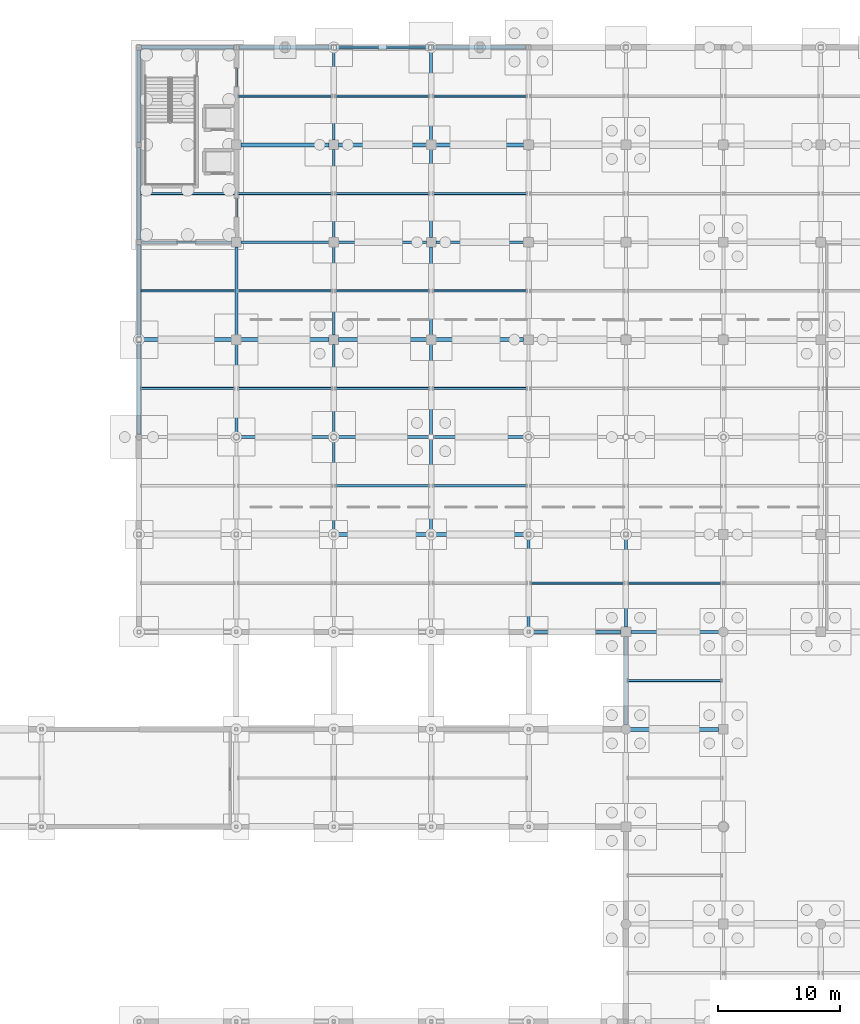
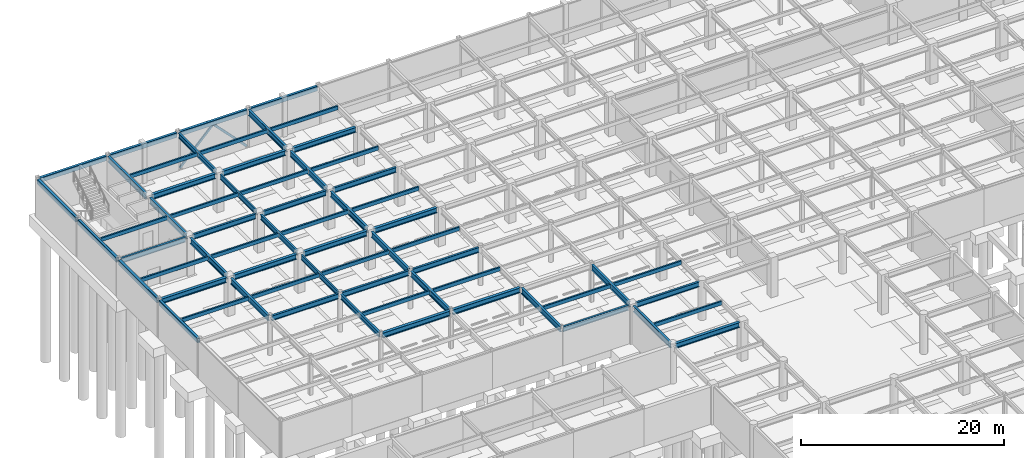
# One storey, part 48 of 105: 64 beams, 2 members.
"""IFC4 building model written with IfcOpenShell, lengths in metres."""

from ifc_helpers import new_model, si_unit, direction, frame, origin, origin_2d, place, context, subcontext, project, spatial, hollow_rectangle, i_section, extrude, material, material_profile, profile_set, type_object, element, save


model = new_model("IFC4")

# Units and contexts
model_context = context("Model", 3, precision=1e-05, world=origin(), true_north=direction((0.0, 1.0)))
body_context = subcontext(model_context, "Body", "Model", "MODEL_VIEW")
ifc_project = project(units=[si_unit("LENGTHUNIT", "METRE"), si_unit("AREAUNIT", "SQUARE_METRE"), si_unit("VOLUMEUNIT", "CUBIC_METRE"), si_unit("PLANEANGLEUNIT", "RADIAN"), si_unit("MASSUNIT", "GRAM", prefix="KILO")], contexts=[model_context])

# Site, building, storey
site_placement = place(None, origin())
site = spatial("IfcSite", under=ifc_project, at=site_placement, CompositionType="ELEMENT")
building_placement = place(site_placement, origin())
building = spatial("IfcBuilding", under=site, at=building_placement, Name="Solmirada Galleria", CompositionType="ELEMENT")
storey_placement = place(building_placement, frame((0.0, 0.0, -4.800048828125)))
storey = spatial("IfcBuildingStorey", under=building, at=storey_placement, Name="B1", CompositionType="ELEMENT", Elevation=-4.800048828125)

# Beams
ifc_material_1 = material(Name="Steel S355 / ASTM A992 Grade 50", Category="steel")
ifc_material_profile_1 = material_profile(ifc_material_1, i_section(OverallWidth=0.323974609375, OverallDepth=0.611083984375, WebThickness=0.0126953125, FlangeThickness=0.01904296875, FilletRadius=0.014892578125, at=origin_2d()), Name="W24X104")
ifc_profile_set_1 = profile_set([ifc_material_profile_1], Name="Steel S355 / ASTM A992 Grade 50")
beam_type_1 = type_object("IfcBeamType", Name="BM-GIRD-W24A", PredefinedType="BEAM", material=ifc_profile_set_1)
beam_1_placement = place(storey_placement, frame((40.202880859375, 96.0, 4.274658203125), z_axis=(1.0, 0.0, 0.0), x_axis=(0.0, 1.0, 0.0)))
element("IfcBeam", 1, at=beam_1_placement, inside=storey, type_object=beam_type_1, Name="Primary beam L00 X(40..48, 96)", PredefinedType="BEAM", context=body_context, shape_type="SweptSolid", body=[
    extrude(i_section(OverallWidth=0.323974609375, OverallDepth=0.611083984375, WebThickness=0.0126953125, FlangeThickness=0.01904296875, FilletRadius=0.014892578125, at=origin_2d()), origin(), (0.0, 0.0, 1.0), 7.397216796875),
])
for number, where, z_axis, x_axis, name in (
    (2, (48.39990234375, 96.0, 4.274658203125), (1.0, 0.0, 0.0), (0.0, 1.0, 0.0), "Primary beam L00 X(48..56, 96)"),
    (3, (48.39990234375, 112.0, 4.274658203125), (1.0, 0.0, 0.0), (0.0, 1.0, 0.0), "Primary beam L00 X(48..56, 112)"),
):
    element("IfcBeam", number, at=place(storey_placement, frame(where, z_axis=z_axis, x_axis=x_axis)), inside=storey, type_object=beam_type_1, Name=name, PredefinedType="BEAM", context=body_context, shape_type="SweptSolid", body=[
        extrude(i_section(OverallWidth=0.323974609375, OverallDepth=0.611083984375, WebThickness=0.0126953125, FlangeThickness=0.01904296875, FilletRadius=0.014892578125, at=origin_2d()), origin(), (0.0, 0.0, 1.0), 7.2001953125),
    ])
beam_2_placement = place(storey_placement, frame((56.177978515625, 80.0, 4.274658203125), z_axis=(1.0, 0.0, 0.0), x_axis=(0.0, 1.0, 0.0)))
element("IfcBeam", 4, at=beam_2_placement, inside=storey, type_object=beam_type_1, Name="Primary beam L00 X(56..64, 80)", PredefinedType="BEAM", context=body_context, shape_type="SweptSolid", body=[
    extrude(i_section(OverallWidth=0.323974609375, OverallDepth=0.611083984375, WebThickness=0.0126953125, FlangeThickness=0.01904296875, FilletRadius=0.014892578125, at=origin_2d()), origin(), (0.0, 0.0, 1.0), 7.64404296875),
])
for number, where, z_axis, x_axis, name in (
    (5, (56.39990234375, 96.0, 4.274658203125), (1.0, 0.0, 0.0), (0.0, 1.0, 0.0), "Primary beam L00 X(56..64, 96)"),
    (6, (56.39990234375, 112.0, 4.274658203125), (1.0, 0.0, 0.0), (0.0, 1.0, 0.0), "Primary beam L00 X(56..64, 112)"),
):
    element("IfcBeam", number, at=place(storey_placement, frame(where, z_axis=z_axis, x_axis=x_axis)), inside=storey, type_object=beam_type_1, Name=name, PredefinedType="BEAM", context=body_context, shape_type="SweptSolid", body=[
        extrude(i_section(OverallWidth=0.323974609375, OverallDepth=0.611083984375, WebThickness=0.0126953125, FlangeThickness=0.01904296875, FilletRadius=0.014892578125, at=origin_2d()), origin(), (0.0, 0.0, 1.0), 7.2001953125),
    ])
beam_3_placement = place(storey_placement, frame((64.177978515625, 80.0, 4.274658203125), z_axis=(1.0, 0.0, 0.0), x_axis=(0.0, 1.0, 0.0)))
element("IfcBeam", 7, at=beam_3_placement, inside=storey, type_object=beam_type_1, Name="Primary beam L00 X(64..72, 80)", PredefinedType="BEAM", context=body_context, shape_type="SweptSolid", body=[
    extrude(i_section(OverallWidth=0.323974609375, OverallDepth=0.611083984375, WebThickness=0.0126953125, FlangeThickness=0.01904296875, FilletRadius=0.014892578125, at=origin_2d()), origin(), (0.0, 0.0, 1.0), 7.64404296875),
])
for number, where, z_axis, x_axis, name in (
    (8, (64.39990234375, 96.0, 4.274658203125), (1.0, 0.0, 0.0), (0.0, 1.0, 0.0), "Primary beam L00 X(64..72, 96)"),
    (9, (64.39990234375, 112.0, 4.274658203125), (1.0, 0.0, 0.0), (0.0, 1.0, 0.0), "Primary beam L00 X(64..72, 112)"),
):
    element("IfcBeam", number, at=place(storey_placement, frame(where, z_axis=z_axis, x_axis=x_axis)), inside=storey, type_object=beam_type_1, Name=name, PredefinedType="BEAM", context=body_context, shape_type="SweptSolid", body=[
        extrude(i_section(OverallWidth=0.323974609375, OverallDepth=0.611083984375, WebThickness=0.0126953125, FlangeThickness=0.01904296875, FilletRadius=0.014892578125, at=origin_2d()), origin(), (0.0, 0.0, 1.0), 7.2001953125),
    ])
beam_4_placement = place(storey_placement, frame((80.3359375, 64.0, 4.274658203125), z_axis=(1.0, 0.0, 0.0), x_axis=(0.0, 1.0, 0.0)))
element("IfcBeam", 10, at=beam_4_placement, inside=storey, type_object=beam_type_1, Name="Primary beam L00 X(80..88, 64)", PredefinedType="BEAM", context=body_context, shape_type="SweptSolid", body=[
    extrude(i_section(OverallWidth=0.323974609375, OverallDepth=0.611083984375, WebThickness=0.0126953125, FlangeThickness=0.01904296875, FilletRadius=0.014892578125, at=origin_2d()), origin(), (0.0, 0.0, 1.0), 7.26416015625),
])
ifc_material_profile_2 = material_profile(ifc_material_1, i_section(OverallWidth=0.22900390625, OverallDepth=0.612060546875, WebThickness=0.011962890625, FlangeThickness=0.01953125, FilletRadius=0.014892578125, at=origin_2d()), Name="W24X84")
ifc_profile_set_2 = profile_set([ifc_material_profile_2], Name="Steel S355 / ASTM A992 Grade 50")
beam_type_2 = type_object("IfcBeamType", Name="BM-GIRD-W24B", PredefinedType="BEAM", material=ifc_profile_set_2)
beam_5_placement = place(storey_placement, frame((40.202880859375, 104.0, 4.274169921875), z_axis=(1.0, 0.0, 0.0), x_axis=(0.0, 1.0, 0.0)))
element("IfcBeam", 11, at=beam_5_placement, inside=storey, type_object=beam_type_2, Name="Primary beam L00 X(40..48, 104)", PredefinedType="BEAM", context=body_context, shape_type="SweptSolid", body=[
    extrude(i_section(OverallWidth=0.22900390625, OverallDepth=0.612060546875, WebThickness=0.011962890625, FlangeThickness=0.01953125, FilletRadius=0.014892578125, at=origin_2d()), origin(), (0.0, 0.0, 1.0), 7.397216796875),
])
beam_6_placement = place(storey_placement, frame((48.21337890625, 88.0, 4.274169921875), z_axis=(1.0, 0.0, 0.0), x_axis=(0.0, 1.0, 0.0)))
element("IfcBeam", 12, at=beam_6_placement, inside=storey, type_object=beam_type_2, Name="Primary beam L00 X(48..56, 88)", PredefinedType="BEAM", context=body_context, shape_type="SweptSolid", body=[
    extrude(i_section(OverallWidth=0.22900390625, OverallDepth=0.612060546875, WebThickness=0.011962890625, FlangeThickness=0.01953125, FilletRadius=0.014892578125, at=origin_2d()), origin(), (0.0, 0.0, 1.0), 7.5732421875),
])
beam_7_placement = place(storey_placement, frame((48.39990234375, 104.0, 4.274169921875), z_axis=(1.0, 0.0, 0.0), x_axis=(0.0, 1.0, 0.0)))
element("IfcBeam", 13, at=beam_7_placement, inside=storey, type_object=beam_type_2, Name="Primary beam L00 X(48..56, 104)", PredefinedType="BEAM", context=body_context, shape_type="SweptSolid", body=[
    extrude(i_section(OverallWidth=0.22900390625, OverallDepth=0.612060546875, WebThickness=0.011962890625, FlangeThickness=0.01953125, FilletRadius=0.014892578125, at=origin_2d()), origin(), (0.0, 0.0, 1.0), 7.2001953125),
])
beam_8_placement = place(storey_placement, frame((56.21337890625, 88.0, 4.274169921875), z_axis=(1.0, 0.0, 0.0), x_axis=(0.0, 1.0, 0.0)))
element("IfcBeam", 14, at=beam_8_placement, inside=storey, type_object=beam_type_2, Name="Primary beam L00 X(56..64, 88)", PredefinedType="BEAM", context=body_context, shape_type="SweptSolid", body=[
    extrude(i_section(OverallWidth=0.22900390625, OverallDepth=0.612060546875, WebThickness=0.011962890625, FlangeThickness=0.01953125, FilletRadius=0.014892578125, at=origin_2d()), origin(), (0.0, 0.0, 1.0), 7.5732421875),
])
beam_9_placement = place(storey_placement, frame((56.39990234375, 104.0, 4.274169921875), z_axis=(1.0, 0.0, 0.0), x_axis=(0.0, 1.0, 0.0)))
element("IfcBeam", 15, at=beam_9_placement, inside=storey, type_object=beam_type_2, Name="Primary beam L00 X(56..64, 104)", PredefinedType="BEAM", context=body_context, shape_type="SweptSolid", body=[
    extrude(i_section(OverallWidth=0.22900390625, OverallDepth=0.612060546875, WebThickness=0.011962890625, FlangeThickness=0.01953125, FilletRadius=0.014892578125, at=origin_2d()), origin(), (0.0, 0.0, 1.0), 7.2001953125),
])
beam_10_placement = place(storey_placement, frame((64.21337890625, 88.0, 4.274169921875), z_axis=(1.0, 0.0, 0.0), x_axis=(0.0, 1.0, 0.0)))
element("IfcBeam", 16, at=beam_10_placement, inside=storey, type_object=beam_type_2, Name="Primary beam L00 X(64..72, 88)", PredefinedType="BEAM", context=body_context, shape_type="SweptSolid", body=[
    extrude(i_section(OverallWidth=0.22900390625, OverallDepth=0.612060546875, WebThickness=0.011962890625, FlangeThickness=0.01953125, FilletRadius=0.014892578125, at=origin_2d()), origin(), (0.0, 0.0, 1.0), 7.5732421875),
])
beam_11_placement = place(storey_placement, frame((64.39990234375, 104.0, 4.274169921875), z_axis=(1.0, 0.0, 0.0), x_axis=(0.0, 1.0, 0.0)))
element("IfcBeam", 17, at=beam_11_placement, inside=storey, type_object=beam_type_2, Name="Primary beam L00 X(64..72, 104)", PredefinedType="BEAM", context=body_context, shape_type="SweptSolid", body=[
    extrude(i_section(OverallWidth=0.22900390625, OverallDepth=0.612060546875, WebThickness=0.011962890625, FlangeThickness=0.01953125, FilletRadius=0.014892578125, at=origin_2d()), origin(), (0.0, 0.0, 1.0), 7.2001953125),
])
beam_12_placement = place(storey_placement, frame((72.126953125, 72.0, 4.274169921875), z_axis=(1.0, 0.0, 0.0), x_axis=(0.0, 1.0, 0.0)))
element("IfcBeam", 18, at=beam_12_placement, inside=storey, type_object=beam_type_2, Name="Primary beam L00 X(72..80, 72)", PredefinedType="BEAM", context=body_context, shape_type="SweptSolid", body=[
    extrude(i_section(OverallWidth=0.22900390625, OverallDepth=0.612060546875, WebThickness=0.011962890625, FlangeThickness=0.01953125, FilletRadius=0.014892578125, at=origin_2d()), origin(), (0.0, 0.0, 1.0), 7.47314453125),
])
beam_13_placement = place(storey_placement, frame((80.39990234375, 72.0, 4.274169921875), z_axis=(1.0, 0.0, 0.0), x_axis=(0.0, 1.0, 0.0)))
element("IfcBeam", 19, at=beam_13_placement, inside=storey, type_object=beam_type_2, Name="Primary beam L00 X(80..88, 72)", PredefinedType="BEAM", context=body_context, shape_type="SweptSolid", body=[
    extrude(i_section(OverallWidth=0.22900390625, OverallDepth=0.612060546875, WebThickness=0.011962890625, FlangeThickness=0.01953125, FilletRadius=0.014892578125, at=origin_2d()), origin(), (0.0, 0.0, 1.0), 7.26416015625),
])
ifc_material_profile_3 = material_profile(ifc_material_1, i_section(OverallWidth=0.22802734375, OverallDepth=0.60302734375, WebThickness=0.010498046875, FlangeThickness=0.014892578125, FilletRadius=0.014892578125, at=origin_2d()), Name="W24X68")
ifc_profile_set_3 = profile_set([ifc_material_profile_3], Name="Steel S355 / ASTM A992 Grade 50")
beam_type_3 = type_object("IfcBeamType", Name="BM-GIRD-W24C", PredefinedType="BEAM", material=ifc_profile_set_3)
beam_14_placement = place(storey_placement, frame((56.0, 80.177978515625, 4.278564453125), z_axis=(0.0, 1.0, 0.0), x_axis=(-1.0, 0.0, 0.0)))
element("IfcBeam", 20, at=beam_14_placement, inside=storey, type_object=beam_type_3, Name="Primary girder L00 Y(56, 80..88)", PredefinedType="BEAM", context=body_context, shape_type="SweptSolid", body=[
    extrude(i_section(OverallWidth=0.22802734375, OverallDepth=0.60302734375, WebThickness=0.010498046875, FlangeThickness=0.014892578125, FilletRadius=0.014892578125, at=origin_2d()), origin(), (0.0, 0.0, 1.0), 7.608642578125),
])
beam_15_placement = place(storey_placement, frame((56.0, 96.39990234375, 4.278564453125), z_axis=(0.0, 1.0, 0.0), x_axis=(-1.0, 0.0, 0.0)))
element("IfcBeam", 21, at=beam_15_placement, inside=storey, type_object=beam_type_3, Name="Primary girder L00 Y(56, 96..104)", PredefinedType="BEAM", context=body_context, shape_type="SweptSolid", body=[
    extrude(i_section(OverallWidth=0.22802734375, OverallDepth=0.60302734375, WebThickness=0.010498046875, FlangeThickness=0.014892578125, FilletRadius=0.014892578125, at=origin_2d()), origin(), (0.0, 0.0, 1.0), 7.2001953125),
])
beam_16_placement = place(storey_placement, frame((56.0, 112.39990234375, 4.278564453125), z_axis=(0.0, 1.0, 0.0), x_axis=(-1.0, 0.0, 0.0)))
element("IfcBeam", 22, at=beam_16_placement, inside=storey, type_object=beam_type_3, Name="Primary girder L00 Y(56, 112..120)", PredefinedType="BEAM", context=body_context, shape_type="SweptSolid", body=[
    extrude(i_section(OverallWidth=0.22802734375, OverallDepth=0.60302734375, WebThickness=0.010498046875, FlangeThickness=0.014892578125, FilletRadius=0.014892578125, at=origin_2d()), origin(), (0.0, 0.0, 1.0), 7.397216796875),
])
ifc_material_profile_4 = material_profile(ifc_material_1, i_section(OverallWidth=0.177978515625, OverallDepth=0.59912109375, WebThickness=0.010009765625, FlangeThickness=0.0126953125, FilletRadius=0.013916015625, at=origin_2d()), Name="W24X55")
ifc_profile_set_4 = profile_set([ifc_material_profile_4], Name="Steel S355 / ASTM A992 Grade 50")
beam_type_4 = type_object("IfcBeamType", Name="BM-GIRD-W24D", PredefinedType="BEAM", material=ifc_profile_set_4)
beam_17_placement = place(storey_placement, frame((56.0, 88.21337890625, 4.280517578125), z_axis=(0.0, 1.0, 0.0), x_axis=(-1.0, 0.0, 0.0)))
element("IfcBeam", 23, at=beam_17_placement, inside=storey, type_object=beam_type_4, Name="Primary girder L00 Y(56, 88..96)", PredefinedType="BEAM", context=body_context, shape_type="SweptSolid", body=[
    extrude(i_section(OverallWidth=0.177978515625, OverallDepth=0.59912109375, WebThickness=0.010009765625, FlangeThickness=0.0126953125, FilletRadius=0.013916015625, at=origin_2d()), origin(), (0.0, 0.0, 1.0), 7.38671875),
])
beam_18_placement = place(storey_placement, frame((56.0, 104.39990234375, 4.280517578125), z_axis=(0.0, 1.0, 0.0), x_axis=(-1.0, 0.0, 0.0)))
element("IfcBeam", 24, at=beam_18_placement, inside=storey, type_object=beam_type_4, Name="Primary girder L00 Y(56, 104..112)", PredefinedType="BEAM", context=body_context, shape_type="SweptSolid", body=[
    extrude(i_section(OverallWidth=0.177978515625, OverallDepth=0.59912109375, WebThickness=0.010009765625, FlangeThickness=0.0126953125, FilletRadius=0.013916015625, at=origin_2d()), origin(), (0.0, 0.0, 1.0), 7.2001953125),
])
ifc_material_profile_5 = material_profile(ifc_material_1, i_section(OverallWidth=0.256103515625, OverallDepth=0.693115234375, WebThickness=0.014404296875, FlangeThickness=0.023681640625, FilletRadius=0.01806640625, at=origin_2d()), Name="W27X114")
ifc_profile_set_5 = profile_set([ifc_material_profile_5], Name="Steel S355 / ASTM A992 Grade 50")
beam_type_5 = type_object("IfcBeamType", Name="BM-GIRD-W27A", PredefinedType="BEAM", material=ifc_profile_set_5)
beam_19_placement = place(storey_placement, frame((48.0, 88.21337890625, 4.233642578125), z_axis=(0.0, 1.0, 0.0), x_axis=(-1.0, 0.0, 0.0)))
element("IfcBeam", 25, at=beam_19_placement, inside=storey, type_object=beam_type_5, Name="Primary girder L00 Y(48, 88..96)", PredefinedType="BEAM", context=body_context, shape_type="SweptSolid", body=[
    extrude(i_section(OverallWidth=0.256103515625, OverallDepth=0.693115234375, WebThickness=0.014404296875, FlangeThickness=0.023681640625, FilletRadius=0.01806640625, at=origin_2d()), origin(), (0.0, 0.0, 1.0), 7.38671875),
])
for number, where, z_axis, x_axis, name in (
    (26, (48.0, 96.39990234375, 4.233642578125), (0.0, 1.0, 0.0), (-1.0, 0.0, 0.0), "Primary girder L00 Y(48, 96..104)"),
    (27, (48.0, 104.39990234375, 4.233642578125), (0.0, 1.0, 0.0), (-1.0, 0.0, 0.0), "Primary girder L00 Y(48, 104..112)"),
):
    element("IfcBeam", number, at=place(storey_placement, frame(where, z_axis=z_axis, x_axis=x_axis)), inside=storey, type_object=beam_type_5, Name=name, PredefinedType="BEAM", context=body_context, shape_type="SweptSolid", body=[
        extrude(i_section(OverallWidth=0.256103515625, OverallDepth=0.693115234375, WebThickness=0.014404296875, FlangeThickness=0.023681640625, FilletRadius=0.01806640625, at=origin_2d()), origin(), (0.0, 0.0, 1.0), 7.2001953125),
    ])
beam_20_placement = place(storey_placement, frame((48.0, 112.39990234375, 4.233642578125), z_axis=(0.0, 1.0, 0.0), x_axis=(-1.0, 0.0, 0.0)))
element("IfcBeam", 28, at=beam_20_placement, inside=storey, type_object=beam_type_5, Name="Primary girder L00 Y(48, 112..120)", PredefinedType="BEAM", context=body_context, shape_type="SweptSolid", body=[
    extrude(i_section(OverallWidth=0.256103515625, OverallDepth=0.693115234375, WebThickness=0.014404296875, FlangeThickness=0.023681640625, FilletRadius=0.01806640625, at=origin_2d()), origin(), (0.0, 0.0, 1.0), 7.397216796875),
])
beam_21_placement = place(storey_placement, frame((72.0, 72.126953125, 4.233642578125), z_axis=(0.0, 1.0, 0.0), x_axis=(-1.0, 0.0, 0.0)))
element("IfcBeam", 29, at=beam_21_placement, inside=storey, type_object=beam_type_5, Name="Primary girder L00 Y(72, 72..80)", PredefinedType="BEAM", context=body_context, shape_type="SweptSolid", body=[
    extrude(i_section(OverallWidth=0.256103515625, OverallDepth=0.693115234375, WebThickness=0.014404296875, FlangeThickness=0.023681640625, FilletRadius=0.01806640625, at=origin_2d()), origin(), (0.0, 0.0, 1.0), 7.695068359375),
])
ifc_material_profile_6 = material_profile(ifc_material_1, i_section(OverallWidth=0.25390625, OverallDepth=0.68408203125, WebThickness=0.012451171875, FlangeThickness=0.018798828125, FilletRadius=0.01708984375, at=origin_2d()), Name="W27X94")
ifc_profile_set_6 = profile_set([ifc_material_profile_6], Name="Steel S355 / ASTM A992 Grade 50")
beam_type_6 = type_object("IfcBeamType", Name="BM-GIRD-W27B", PredefinedType="BEAM", material=ifc_profile_set_6)
beam_22_placement = place(storey_placement, frame((64.0, 80.177978515625, 4.238037109375), z_axis=(0.0, 1.0, 0.0), x_axis=(-1.0, 0.0, 0.0)))
element("IfcBeam", 30, at=beam_22_placement, inside=storey, type_object=beam_type_6, Name="Primary girder L00 Y(64, 80..88)", PredefinedType="BEAM", context=body_context, shape_type="SweptSolid", body=[
    extrude(i_section(OverallWidth=0.25390625, OverallDepth=0.68408203125, WebThickness=0.012451171875, FlangeThickness=0.018798828125, FilletRadius=0.01708984375, at=origin_2d()), origin(), (0.0, 0.0, 1.0), 7.608642578125),
])
beam_23_placement = place(storey_placement, frame((64.0, 88.21337890625, 4.238037109375), z_axis=(0.0, 1.0, 0.0), x_axis=(-1.0, 0.0, 0.0)))
element("IfcBeam", 31, at=beam_23_placement, inside=storey, type_object=beam_type_6, Name="Primary girder L00 Y(64, 88..96)", PredefinedType="BEAM", context=body_context, shape_type="SweptSolid", body=[
    extrude(i_section(OverallWidth=0.25390625, OverallDepth=0.68408203125, WebThickness=0.012451171875, FlangeThickness=0.018798828125, FilletRadius=0.01708984375, at=origin_2d()), origin(), (0.0, 0.0, 1.0), 7.38671875),
])
for number, where, z_axis, x_axis, name in (
    (32, (64.0, 96.39990234375, 4.238037109375), (0.0, 1.0, 0.0), (-1.0, 0.0, 0.0), "Primary girder L00 Y(64, 96..104)"),
    (33, (64.0, 104.39990234375, 4.238037109375), (0.0, 1.0, 0.0), (-1.0, 0.0, 0.0), "Primary girder L00 Y(64, 104..112)"),
):
    element("IfcBeam", number, at=place(storey_placement, frame(where, z_axis=z_axis, x_axis=x_axis)), inside=storey, type_object=beam_type_6, Name=name, PredefinedType="BEAM", context=body_context, shape_type="SweptSolid", body=[
        extrude(i_section(OverallWidth=0.25390625, OverallDepth=0.68408203125, WebThickness=0.012451171875, FlangeThickness=0.018798828125, FilletRadius=0.01708984375, at=origin_2d()), origin(), (0.0, 0.0, 1.0), 7.2001953125),
    ])
beam_24_placement = place(storey_placement, frame((64.0, 112.39990234375, 4.238037109375), z_axis=(0.0, 1.0, 0.0), x_axis=(-1.0, 0.0, 0.0)))
element("IfcBeam", 34, at=beam_24_placement, inside=storey, type_object=beam_type_6, Name="Primary girder L00 Y(64, 112..120)", PredefinedType="BEAM", context=body_context, shape_type="SweptSolid", body=[
    extrude(i_section(OverallWidth=0.25390625, OverallDepth=0.68408203125, WebThickness=0.012451171875, FlangeThickness=0.018798828125, FilletRadius=0.01708984375, at=origin_2d()), origin(), (0.0, 0.0, 1.0), 7.397216796875),
])
beam_25_placement = place(storey_placement, frame((80.0, 64.3359375, 4.238037109375), z_axis=(0.0, 1.0, 0.0), x_axis=(-1.0, 0.0, 0.0)))
element("IfcBeam", 35, at=beam_25_placement, inside=storey, type_object=beam_type_6, Name="Primary girder L00 Y(80, 64..72)", PredefinedType="BEAM", context=body_context, shape_type="SweptSolid", body=[
    extrude(i_section(OverallWidth=0.25390625, OverallDepth=0.68408203125, WebThickness=0.012451171875, FlangeThickness=0.018798828125, FilletRadius=0.01708984375, at=origin_2d()), origin(), (0.0, 0.0, 1.0), 7.26416015625),
])
beam_26_placement = place(storey_placement, frame((80.0, 72.39990234375, 4.238037109375), z_axis=(0.0, 1.0, 0.0), x_axis=(-1.0, 0.0, 0.0)))
element("IfcBeam", 36, at=beam_26_placement, inside=storey, type_object=beam_type_6, Name="Primary girder L00 Y(80, 72..80)", PredefinedType="BEAM", context=body_context, shape_type="SweptSolid", body=[
    extrude(i_section(OverallWidth=0.25390625, OverallDepth=0.68408203125, WebThickness=0.012451171875, FlangeThickness=0.018798828125, FilletRadius=0.01708984375, at=origin_2d()), origin(), (0.0, 0.0, 1.0), 7.422119140625),
])
ifc_material_2 = material(Name="Steel S355 / ASTM A500 Grade C", Category="steel")
ifc_material_profile_7 = material_profile(ifc_material_2, hollow_rectangle(XDim=0.202880859375, YDim=0.45703125, WallThickness=0.01171875, InnerFilletRadius=0.01171875, OuterFilletRadius=0.023681640625, at=origin_2d()), Name="HSS18X8X1/2")
ifc_profile_set_7 = profile_set([ifc_material_profile_7], Name="Steel S355 / ASTM A500 Grade C")
beam_type_7 = type_object("IfcBeamType", Name="BM-JST-W16A", PredefinedType="JOIST", material=ifc_profile_set_7)
for number, where, z_axis, x_axis, name in (
    (37, (40.152587890625, 92.0, 4.3515625), (1.0, 0.0, 0.0), (0.0, 1.0, 0.0), "Composite floor joist L00 (40..48, 92.0)"),
    (38, (40.152587890625, 100.0, 4.3515625), (1.0, 0.0, 0.0), (0.0, 1.0, 0.0), "Composite floor joist L00 (40..48, 100.0)"),
    (39, (40.152587890625, 108.0, 4.3515625), (1.0, 0.0, 0.0), (0.0, 1.0, 0.0), "Composite floor joist L00 (40..48, 108.0)"),
):
    element("IfcBeam", number, at=place(storey_placement, frame(where, z_axis=z_axis, x_axis=x_axis)), inside=storey, type_object=beam_type_7, Name=name, PredefinedType="JOIST", context=body_context, shape_type="SweptSolid", body=[
        extrude(hollow_rectangle(XDim=0.202880859375, YDim=0.45703125, WallThickness=0.01171875, InnerFilletRadius=0.01171875, OuterFilletRadius=0.023681640625, at=origin_2d()), origin(), (0.0, 0.0, 1.0), 7.719482421875),
    ])
beam_27_placement = place(storey_placement, frame((48.1279296875, 92.0, 4.3515625), z_axis=(1.0, 0.0, 0.0), x_axis=(0.0, 1.0, 0.0)))
element("IfcBeam", 40, at=beam_27_placement, inside=storey, type_object=beam_type_7, Name="Composite floor joist L00 (48..56, 92.0)", PredefinedType="JOIST", context=body_context, shape_type="SweptSolid", body=[
    extrude(hollow_rectangle(XDim=0.202880859375, YDim=0.45703125, WallThickness=0.01171875, InnerFilletRadius=0.01171875, OuterFilletRadius=0.023681640625, at=origin_2d()), origin(), (0.0, 0.0, 1.0), 7.782958984375),
])
beam_28_placement = place(storey_placement, frame((48.1279296875, 100.0, 4.3515625), z_axis=(1.0, 0.0, 0.0), x_axis=(0.0, 1.0, 0.0)))
element("IfcBeam", 41, at=beam_28_placement, inside=storey, type_object=beam_type_7, Name="Composite floor joist L00 (48..56, 100.0)", PredefinedType="JOIST", context=body_context, shape_type="SweptSolid", body=[
    extrude(hollow_rectangle(XDim=0.202880859375, YDim=0.45703125, WallThickness=0.01171875, InnerFilletRadius=0.01171875, OuterFilletRadius=0.023681640625, at=origin_2d()), origin(), (0.0, 0.0, 1.0), 7.758056640625),
])
beam_29_placement = place(storey_placement, frame((48.1279296875, 108.0, 4.3515625), z_axis=(1.0, 0.0, 0.0), x_axis=(0.0, 1.0, 0.0)))
element("IfcBeam", 42, at=beam_29_placement, inside=storey, type_object=beam_type_7, Name="Composite floor joist L00 (48..56, 108.0)", PredefinedType="JOIST", context=body_context, shape_type="SweptSolid", body=[
    extrude(hollow_rectangle(XDim=0.202880859375, YDim=0.45703125, WallThickness=0.01171875, InnerFilletRadius=0.01171875, OuterFilletRadius=0.023681640625, at=origin_2d()), origin(), (0.0, 0.0, 1.0), 7.782958984375),
])
beam_30_placement = place(storey_placement, frame((48.1279296875, 116.0, 4.3515625), z_axis=(1.0, 0.0, 0.0), x_axis=(0.0, 1.0, 0.0)))
element("IfcBeam", 43, at=beam_30_placement, inside=storey, type_object=beam_type_7, Name="Composite floor joist L00 (48..56, 116.0)", PredefinedType="JOIST", context=body_context, shape_type="SweptSolid", body=[
    extrude(hollow_rectangle(XDim=0.202880859375, YDim=0.45703125, WallThickness=0.01171875, InnerFilletRadius=0.01171875, OuterFilletRadius=0.023681640625, at=origin_2d()), origin(), (0.0, 0.0, 1.0), 7.758056640625),
])
beam_31_placement = place(storey_placement, frame((56.114013671875, 84.0, 4.3515625), z_axis=(1.0, 0.0, 0.0), x_axis=(0.0, 1.0, 0.0)))
element("IfcBeam", 44, at=beam_31_placement, inside=storey, type_object=beam_type_7, Name="Composite floor joist L00 (56..64, 84.0)", PredefinedType="JOIST", context=body_context, shape_type="SweptSolid", body=[
    extrude(hollow_rectangle(XDim=0.202880859375, YDim=0.45703125, WallThickness=0.01171875, InnerFilletRadius=0.01171875, OuterFilletRadius=0.023681640625, at=origin_2d()), origin(), (0.0, 0.0, 1.0), 7.759033203125),
])
beam_32_placement = place(storey_placement, frame((56.089111328125, 92.0, 4.3515625), z_axis=(1.0, 0.0, 0.0), x_axis=(0.0, 1.0, 0.0)))
element("IfcBeam", 45, at=beam_32_placement, inside=storey, type_object=beam_type_7, Name="Composite floor joist L00 (56..64, 92.0)", PredefinedType="JOIST", context=body_context, shape_type="SweptSolid", body=[
    extrude(hollow_rectangle(XDim=0.202880859375, YDim=0.45703125, WallThickness=0.01171875, InnerFilletRadius=0.01171875, OuterFilletRadius=0.023681640625, at=origin_2d()), origin(), (0.0, 0.0, 1.0), 7.783935546875),
])
beam_33_placement = place(storey_placement, frame((56.114013671875, 100.0, 4.3515625), z_axis=(1.0, 0.0, 0.0), x_axis=(0.0, 1.0, 0.0)))
element("IfcBeam", 46, at=beam_33_placement, inside=storey, type_object=beam_type_7, Name="Composite floor joist L00 (56..64, 100.0)", PredefinedType="JOIST", context=body_context, shape_type="SweptSolid", body=[
    extrude(hollow_rectangle(XDim=0.202880859375, YDim=0.45703125, WallThickness=0.01171875, InnerFilletRadius=0.01171875, OuterFilletRadius=0.023681640625, at=origin_2d()), origin(), (0.0, 0.0, 1.0), 7.759033203125),
])
beam_34_placement = place(storey_placement, frame((56.089111328125, 108.0, 4.3515625), z_axis=(1.0, 0.0, 0.0), x_axis=(0.0, 1.0, 0.0)))
element("IfcBeam", 47, at=beam_34_placement, inside=storey, type_object=beam_type_7, Name="Composite floor joist L00 (56..64, 108.0)", PredefinedType="JOIST", context=body_context, shape_type="SweptSolid", body=[
    extrude(hollow_rectangle(XDim=0.202880859375, YDim=0.45703125, WallThickness=0.01171875, InnerFilletRadius=0.01171875, OuterFilletRadius=0.023681640625, at=origin_2d()), origin(), (0.0, 0.0, 1.0), 7.783935546875),
])
beam_35_placement = place(storey_placement, frame((56.114013671875, 116.0, 4.3515625), z_axis=(1.0, 0.0, 0.0), x_axis=(0.0, 1.0, 0.0)))
element("IfcBeam", 48, at=beam_35_placement, inside=storey, type_object=beam_type_7, Name="Composite floor joist L00 (56..64, 116.0)", PredefinedType="JOIST", context=body_context, shape_type="SweptSolid", body=[
    extrude(hollow_rectangle(XDim=0.202880859375, YDim=0.45703125, WallThickness=0.01171875, InnerFilletRadius=0.01171875, OuterFilletRadius=0.023681640625, at=origin_2d()), origin(), (0.0, 0.0, 1.0), 7.759033203125),
])
for number, where, z_axis, x_axis, name in (
    (49, (64.126953125, 84.0, 4.3515625), (1.0, 0.0, 0.0), (0.0, 1.0, 0.0), "Composite floor joist L00 (64..72, 84.0)"),
    (50, (64.126953125, 92.0, 4.3515625), (1.0, 0.0, 0.0), (0.0, 1.0, 0.0), "Composite floor joist L00 (64..72, 92.0)"),
    (51, (64.126953125, 100.0, 4.3515625), (1.0, 0.0, 0.0), (0.0, 1.0, 0.0), "Composite floor joist L00 (64..72, 100.0)"),
    (52, (64.126953125, 108.0, 4.3515625), (1.0, 0.0, 0.0), (0.0, 1.0, 0.0), "Composite floor joist L00 (64..72, 108.0)"),
    (53, (64.126953125, 116.0, 4.3515625), (1.0, 0.0, 0.0), (0.0, 1.0, 0.0), "Composite floor joist L00 (64..72, 116.0)"),
    (54, (72.1279296875, 76.0, 4.3515625), (1.0, 0.0, 0.0), (0.0, 1.0, 0.0), "Composite floor joist L00 (72..80, 76.0)"),
):
    element("IfcBeam", number, at=place(storey_placement, frame(where, z_axis=z_axis, x_axis=x_axis)), inside=storey, type_object=beam_type_7, Name=name, PredefinedType="JOIST", context=body_context, shape_type="SweptSolid", body=[
        extrude(hollow_rectangle(XDim=0.202880859375, YDim=0.45703125, WallThickness=0.01171875, InnerFilletRadius=0.01171875, OuterFilletRadius=0.023681640625, at=origin_2d()), origin(), (0.0, 0.0, 1.0), 7.7451171875),
    ])
beam_36_placement = place(storey_placement, frame((80.126953125, 68.0, 4.3515625), z_axis=(1.0, 0.0, 0.0), x_axis=(0.0, 1.0, 0.0)))
element("IfcBeam", 55, at=beam_36_placement, inside=storey, type_object=beam_type_7, Name="Composite floor joist L00 (80..88, 68.0)", PredefinedType="JOIST", context=body_context, shape_type="SweptSolid", body=[
    extrude(hollow_rectangle(XDim=0.202880859375, YDim=0.45703125, WallThickness=0.01171875, InnerFilletRadius=0.01171875, OuterFilletRadius=0.023681640625, at=origin_2d()), origin(), (0.0, 0.0, 1.0), 7.759033203125),
])
beam_37_placement = place(storey_placement, frame((80.126953125, 76.0, 4.3515625), z_axis=(1.0, 0.0, 0.0), x_axis=(0.0, 1.0, 0.0)))
element("IfcBeam", 56, at=beam_37_placement, inside=storey, type_object=beam_type_7, Name="Composite floor joist L00 (80..88, 76.0)", PredefinedType="JOIST", context=body_context, shape_type="SweptSolid", body=[
    extrude(hollow_rectangle(XDim=0.202880859375, YDim=0.45703125, WallThickness=0.01171875, InnerFilletRadius=0.01171875, OuterFilletRadius=0.023681640625, at=origin_2d()), origin(), (0.0, 0.0, 1.0), 7.783935546875),
])
ifc_material_profile_8 = material_profile(ifc_material_2, hollow_rectangle(XDim=0.304931640625, YDim=0.55908203125, WallThickness=0.01171875, InnerFilletRadius=0.01171875, OuterFilletRadius=0.023681640625, at=origin_2d()), Name="HSS22X12X1/2")
ifc_profile_set_8 = profile_set([ifc_material_profile_8], Name="Steel S355 / ASTM A500 Grade C")
beam_type_8 = type_object("IfcBeamType", Name="BM-SPAND-W21", PredefinedType="SPANDREL", material=ifc_profile_set_8)
for number, where, z_axis, x_axis, name in (
    (57, (40.202880859375, 120.0, 4.300537109375), (1.0, 0.0, 0.0), (0.0, 1.0, 0.0), "Primary beam L00 X(40..48, 120)"),
    (58, (48.202880859375, 120.0, 4.300537109375), (1.0, 0.0, 0.0), (0.0, 1.0, 0.0), "Primary beam L00 X(48..56, 120)"),
    (59, (56.202880859375, 120.0, 4.300537109375), (1.0, 0.0, 0.0), (0.0, 1.0, 0.0), "Primary beam L00 X(56..64, 120)"),
    (60, (64.202880859375, 120.0, 4.300537109375), (1.0, 0.0, 0.0), (0.0, 1.0, 0.0), "Primary beam L00 X(64..72, 120)"),
):
    element("IfcBeam", number, at=place(storey_placement, frame(where, z_axis=z_axis, x_axis=x_axis)), inside=storey, type_object=beam_type_8, Name=name, PredefinedType="SPANDREL", context=body_context, shape_type="SweptSolid", body=[
        extrude(hollow_rectangle(XDim=0.304931640625, YDim=0.55908203125, WallThickness=0.01171875, InnerFilletRadius=0.01171875, OuterFilletRadius=0.023681640625, at=origin_2d()), origin(), (0.0, 0.0, 1.0), 7.59423828125),
    ])
beam_38_placement = place(storey_placement, frame((40.0, 88.21337890625, 4.300537109375), z_axis=(0.0, 1.0, 0.0), x_axis=(-1.0, 0.0, 0.0)))
element("IfcBeam", 61, at=beam_38_placement, inside=storey, type_object=beam_type_8, Name="Primary girder L00 Y(40, 88..96)", PredefinedType="SPANDREL", context=body_context, shape_type="SweptSolid", body=[
    extrude(hollow_rectangle(XDim=0.304931640625, YDim=0.55908203125, WallThickness=0.01171875, InnerFilletRadius=0.01171875, OuterFilletRadius=0.023681640625, at=origin_2d()), origin(), (0.0, 0.0, 1.0), 7.583740234375),
])
for number, where, z_axis, x_axis, name in (
    (62, (40.0, 96.202880859375, 4.300537109375), (0.0, 1.0, 0.0), (-1.0, 0.0, 0.0), "Primary girder L00 Y(40, 96..104)"),
    (63, (40.0, 104.202880859375, 4.300537109375), (0.0, 1.0, 0.0), (-1.0, 0.0, 0.0), "Primary girder L00 Y(40, 104..112)"),
    (64, (40.0, 112.202880859375, 4.300537109375), (0.0, 1.0, 0.0), (-1.0, 0.0, 0.0), "Primary girder L00 Y(40, 112..120)"),
):
    element("IfcBeam", number, at=place(storey_placement, frame(where, z_axis=z_axis, x_axis=x_axis)), inside=storey, type_object=beam_type_8, Name=name, PredefinedType="SPANDREL", context=body_context, shape_type="SweptSolid", body=[
        extrude(hollow_rectangle(XDim=0.304931640625, YDim=0.55908203125, WallThickness=0.01171875, InnerFilletRadius=0.01171875, OuterFilletRadius=0.023681640625, at=origin_2d()), origin(), (0.0, 0.0, 1.0), 7.59423828125),
    ])

# Members
ifc_material_profile_9 = material_profile(ifc_material_2, hollow_rectangle(XDim=0.152099609375, YDim=0.25390625, WallThickness=0.0087890625, InnerFilletRadius=0.0087890625, OuterFilletRadius=0.017822265625, at=origin_2d()), Name="HSS10X6X3/8")
ifc_profile_set_9 = profile_set([ifc_material_profile_9], Name="Steel S355 / ASTM A500 Grade C")
member_type = type_object("IfcMemberType", Name="MEM-CBF-EXT", PredefinedType="BRACE", material=ifc_profile_set_9)
for number, where, z_axis, x_axis, name in (
    (65, (56.202880859375, 120.0, 0.14013671875), (0.69393572357, 0.0, 0.720036951519), (0.0, 1.0, 0.0), "Braced frame diagonal CBF-N1 B1 A"),
    (66, (63.797119140625, 120.0, 0.14013671875), (-0.69393572357, 0.0, 0.720036951519), (0.0, -1.0, 0.0), "Braced frame diagonal CBF-N1 B1 B"),
):
    element("IfcMember", number, at=place(storey_placement, frame(where, z_axis=z_axis, x_axis=x_axis)), inside=storey, type_object=member_type, Name=name, PredefinedType="BRACE", context=body_context, shape_type="SweptSolid", body=[
        extrude(hollow_rectangle(XDim=0.152099609375, YDim=0.25390625, WallThickness=0.0087890625, InnerFilletRadius=0.0087890625, OuterFilletRadius=0.017822265625, at=origin_2d()), origin(), (0.0, 0.0, 1.0), 5.471923828125),
    ])

save(model, "model.ifc")
